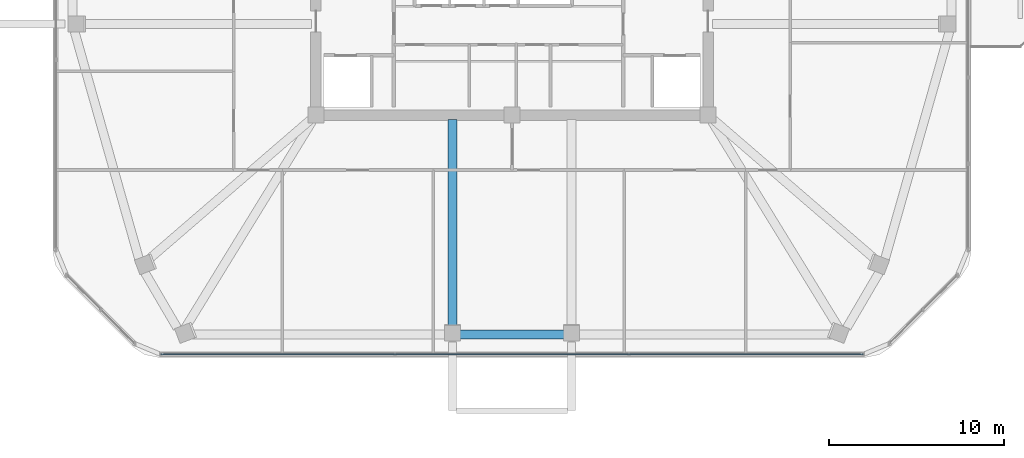
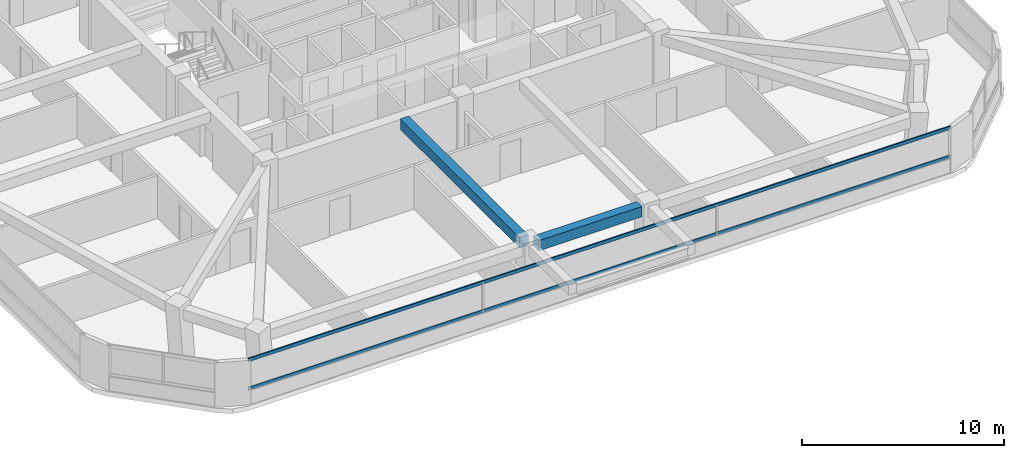
# One storey, part 3 of 14: 2 beams, 2 members, 1 element without a shape of its own.
"""IFC4 building model written with IfcOpenShell, lengths in metres."""

from ifc_helpers import new_model, si_unit, derived_unit, direction, frame, origin, origin_2d, place, context, subcontext, project, spatial, rectangle, extrude, material, material_profile, profile_set, type_object, element, aggregate, save


model = new_model("IFC4")

# Units and contexts
model_context = context("Model", 3, precision=1e-05, world=origin(), true_north=direction((0.0, 1.0)))
body_context = subcontext(model_context, "Body", "Model", "MODEL_VIEW")
ifc_project = project(units=[si_unit("LENGTHUNIT", "METRE"), si_unit("AREAUNIT", "SQUARE_METRE"), si_unit("VOLUMEUNIT", "CUBIC_METRE"), si_unit("PLANEANGLEUNIT", "RADIAN"), si_unit("MASSUNIT", "GRAM", prefix="KILO"), derived_unit("THERMALTRANSMITTANCEUNIT", [(si_unit("POWERUNIT", "WATT"), 1), (si_unit("LENGTHUNIT", "METRE"), -2), (si_unit("THERMODYNAMICTEMPERATUREUNIT", "KELVIN"), -1)])], contexts=[model_context])

# Site, building, storey
site_placement = place(None, origin())
site = spatial("IfcSite", under=ifc_project, at=site_placement, CompositionType="ELEMENT")
building_placement = place(site_placement, origin())
building = spatial("IfcBuilding", under=site, at=building_placement, Name="Koralith Skygarden Medical Center", CompositionType="ELEMENT")
storey_placement = place(building_placement, frame((0.0, 0.0, 210.780029296875)))
storey = spatial("IfcBuildingStorey", under=building, at=storey_placement, Name="L54", CompositionType="ELEMENT", Elevation=210.780029296875)

# Curtain wall, members
ifc_material_1 = material(Name="Clear Laminated Glass", Category="glass")
curtain_wall_type = type_object("IfcCurtainWallType", Name="CW-5 Zone 4 Flare Biophilic Curtain Wall", PredefinedType="NOTDEFINED", material=ifc_material_1)
curtain_wall_placement = place(storey_placement, origin())
curtain_wall = element("IfcCurtainWall", 1, at=curtain_wall_placement, inside=storey, type_object=curtain_wall_type, Name="Curtain Wall CW-L54-S", PredefinedType="NOTDEFINED")
ifc_material_2 = material(Name="Aluminium 6063-T6", Category="aluminium")
ifc_material_profile_1 = material_profile(ifc_material_2, rectangle(XDim=0.074951171875, YDim=0.197998046875, at=origin_2d()), Name="TRN75X198")
ifc_profile_set_1 = profile_set([ifc_material_profile_1], Name="Aluminium 6063-T6")
member_type = type_object("IfcMemberType", Name="CW-5 Thermal Transom 75x198", PredefinedType="USERDEFINED", material=ifc_profile_set_1)
member_1_placement = place(storey_placement, frame((16.919921875, 3.626953125, 0.89990234375), z_axis=(1.0, 0.0, 0.0), x_axis=(0.0, 1.0, 0.0)))
member_1 = element("IfcMember", 2, at=member_1_placement, type_object=member_type, Name="CW-L54-S Transom 1", ObjectType="TRANSOM", PredefinedType="USERDEFINED", context=body_context, shape_type="SweptSolid", body=[
    extrude(rectangle(XDim=0.074951171875, YDim=0.197998046875, at=origin_2d()), origin(), (0.0, 0.0, 1.0), 40.16015625),
])
member_2_placement = place(storey_placement, frame((16.919921875, 3.626953125, 2.639892578125), z_axis=(1.0, 0.0, 0.0), x_axis=(0.0, 1.0, 0.0)))
member_2 = element("IfcMember", 3, at=member_2_placement, type_object=member_type, Name="CW-L54-S Transom 2", ObjectType="TRANSOM", PredefinedType="USERDEFINED", context=body_context, shape_type="SweptSolid", body=[
    extrude(rectangle(XDim=0.074951171875, YDim=0.197998046875, at=origin_2d()), origin(), (0.0, 0.0, 1.0), 40.16015625),
])
aggregate(curtain_wall, [member_1, member_2])

# Beams
ifc_material_3 = material(Name="Concrete C45/55", Category="concrete")
ifc_material_profile_2 = material_profile(ifc_material_3, rectangle(XDim=0.5, YDim=0.6201171875, at=origin_2d()), Name="RCB500X620")
ifc_profile_set_2 = profile_set([ifc_material_profile_2], Name="Concrete C45/55")
beam_type_1 = type_object("IfcBeamType", Name="Upper Radial Collector Beam RCB500X620", PredefinedType="BEAM", material=ifc_profile_set_2)
beam_1_placement = place(storey_placement, frame((33.60009765625, 17.050048828125, 3.010009765625), z_axis=(0.0, -1.0, 0.0), x_axis=(1.0, 0.0, 0.0)))
element("IfcBeam", 4, at=beam_1_placement, inside=storey, type_object=beam_type_1, Name="L54 Radial Collector Beam RB-04", PredefinedType="BEAM", context=body_context, shape_type="SweptSolid", body=[
    extrude(rectangle(XDim=0.5, YDim=0.6201171875, at=origin_2d()), origin(), (0.0, 0.0, 1.0), 11.858154296875),
])
ifc_material_profile_3 = material_profile(ifc_material_3, rectangle(XDim=0.5, YDim=0.6201171875, at=origin_2d()), Name="RCB500X620")
ifc_profile_set_3 = profile_set([ifc_material_profile_3], Name="Concrete C45/55")
beam_type_2 = type_object("IfcBeamType", Name="Zone 4-5 Spandrel Beam RCB500X620", PredefinedType="SPANDREL", material=ifc_profile_set_3)
beam_2_placement = place(storey_placement, frame((34.0400390625, 4.751953125, 3.010009765625), z_axis=(1.0, 0.0, 0.0), x_axis=(0.0, 1.0, 0.0)))
element("IfcBeam", 5, at=beam_2_placement, inside=storey, type_object=beam_type_2, Name="L54 Perimeter Spandrel Beam SP-04", PredefinedType="SPANDREL", context=body_context, shape_type="SweptSolid", body=[
    extrude(rectangle(XDim=0.5, YDim=0.6201171875, at=origin_2d()), origin(), (0.0, 0.0, 1.0), 5.919921875),
])

save(model, "model.ifc")
